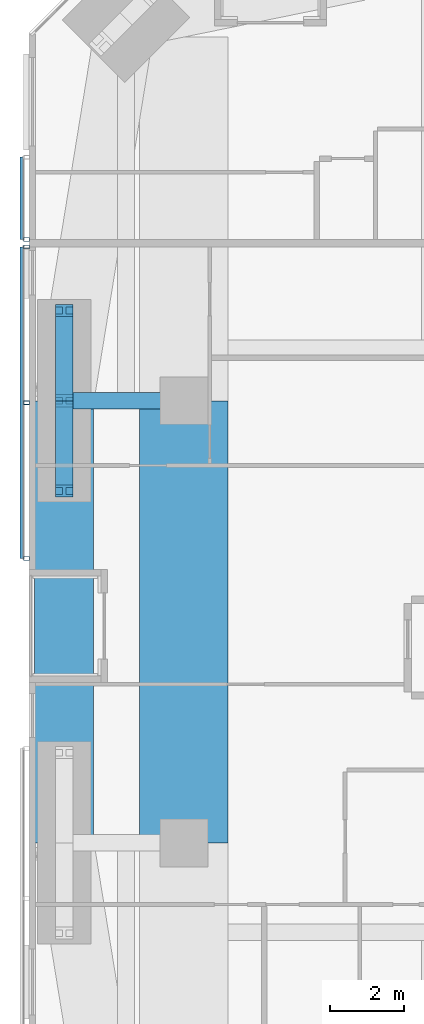
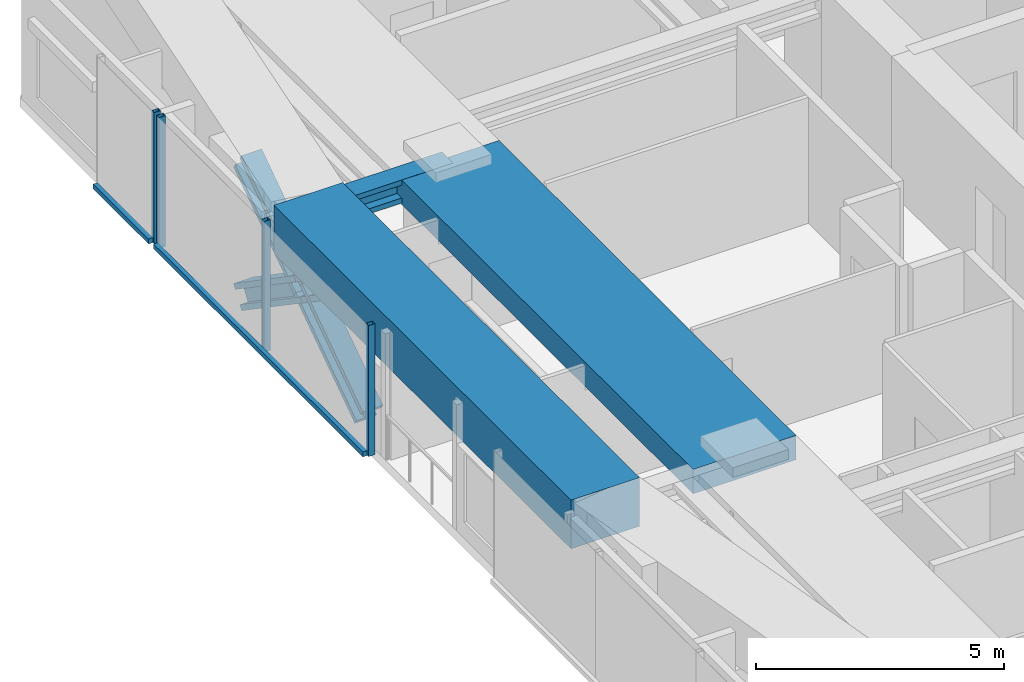
# One storey, part 6 of 23: 10 members, 3 beams, 2 elements without a shape of their own.
"""IFC4 building model written with IfcOpenShell, lengths in metres."""

from ifc_helpers import new_model, si_unit, direction, frame, origin, origin_2d, place, context, subcontext, project, spatial, rectangle, hollow_rectangle, i_section, extrude, material, material_profile, profile_set, type_object, element, aggregate, save


model = new_model("IFC4")

# Units and contexts
model_context = context("Model", 3, precision=1e-05, world=origin(), true_north=direction((0.0, 1.0)))
body_context = subcontext(model_context, "Body", "Model", "MODEL_VIEW")
ifc_project = project(units=[si_unit("LENGTHUNIT", "METRE"), si_unit("AREAUNIT", "SQUARE_METRE"), si_unit("VOLUMEUNIT", "CUBIC_METRE"), si_unit("PLANEANGLEUNIT", "RADIAN"), si_unit("MASSUNIT", "GRAM", prefix="KILO")], contexts=[model_context])

# Site, building, storey
site_placement = place(None, origin())
site = spatial("IfcSite", under=ifc_project, at=site_placement, CompositionType="ELEMENT")
building_placement = place(site_placement, origin())
building = spatial("IfcBuilding", under=site, at=building_placement, Name="Jalousie Tower", CompositionType="ELEMENT")
storey_placement = place(building_placement, frame((0.0, 0.0, 121.60009765625)))
storey = spatial("IfcBuildingStorey", under=building, at=storey_placement, Name="L33", CompositionType="ELEMENT", Elevation=121.60009765625)

# Beam
ifc_material_1 = material(Name="Steel ASTM A992 Grade 50", Category="steel")
ifc_material_profile_1 = material_profile(ifc_material_1, i_section(OverallWidth=0.45458984375, OverallDepth=0.569091796875, WebThickness=0.077880859375, FlangeThickness=0.124755859375, at=origin_2d()), Name="W14X730")
ifc_profile_set_1 = profile_set([ifc_material_profile_1], Name="Steel ASTM A992 Grade 50")
beam_type_1 = type_object("IfcBeamType", Name="LEAN COLLECTOR W14X730", PredefinedType="BEAM", material=ifc_profile_set_1)
beam_1_placement = place(storey_placement, frame((6.949951171875, 25.0, 2.825439453125), z_axis=(1.0, 0.0, 0.0), x_axis=(0.0, 1.0, 0.0)))
element("IfcBeam", 1, at=beam_1_placement, inside=storey, type_object=beam_type_1, Name="Lean collector under L34", PredefinedType="BEAM", context=body_context, shape_type="SweptSolid", body=[
    extrude(i_section(OverallWidth=0.45458984375, OverallDepth=0.569091796875, WebThickness=0.077880859375, FlangeThickness=0.124755859375, at=origin_2d()), origin(), (0.0, 0.0, 1.0), 3.25),
])

# Members
ifc_material_2 = material(Name="Steel ASTM A992 Grade 50", Category="steel")
ifc_material_profile_2 = material_profile(ifc_material_2, i_section(OverallWidth=0.472412109375, OverallDepth=0.5791015625, WebThickness=0.094970703125, FlangeThickness=0.1298828125, at=origin_2d()), Name="W14X808")
ifc_profile_set_2 = profile_set([ifc_material_profile_2], Name="Steel ASTM A992 Grade 50")
member_type_1 = type_object("IfcMemberType", Name="PERIMETER BRACE W14X808", PredefinedType="BRACE", material=ifc_profile_set_2)
for number, where, z_axis, x_axis, name in (
    (2, (6.949951171875, 22.550048828125, -0.60009765625), (0.0, 0.825500916831, 0.564400776321), (-1.0, 0.0, 0.0), "Perimeter brace 13 L33 part 1"),
    (3, (6.949951171875, 25.0, 1.074951171875), (0.0, 0.825500916831, 0.564400776321), (-1.0, 0.0, 0.0), "Perimeter brace 13 L33 part 2"),
    (4, (6.949951171875, 27.449951171875, -0.60009765625), (0.0, -0.825500916831, 0.564400776321), (1.0, 0.0, 0.0), "Perimeter brace 13 L33 part 3"),
    (5, (6.949951171875, 25.0, 1.074951171875), (0.0, -0.825500916831, 0.564400776321), (1.0, 0.0, 0.0), "Perimeter brace 13 L33 part 4"),
):
    element("IfcMember", number, at=place(storey_placement, frame(where, z_axis=z_axis, x_axis=x_axis)), inside=storey, type_object=member_type_1, Name=name, PredefinedType="BRACE", context=body_context, shape_type="SweptSolid", body=[
        extrude(i_section(OverallWidth=0.472412109375, OverallDepth=0.5791015625, WebThickness=0.094970703125, FlangeThickness=0.1298828125, at=origin_2d()), origin(), (0.0, 0.0, 1.0), 2.9677734375),
    ])

# Beams
ifc_material_3 = material(Name="Concrete f'c 40 MPa", Category="concrete")
ifc_material_profile_3 = material_profile(ifc_material_3, rectangle(XDim=1.60009765625, YDim=1.199951171875, at=origin_2d()), Name="RC 1600x1200")
ifc_profile_set_3 = profile_set([ifc_material_profile_3], Name="Concrete f'c 40 MPa")
beam_type_2 = type_object("IfcBeamType", Name="RC BEAM 1600x1200", PredefinedType="BEAM", material=ifc_profile_set_3)
beam_2_placement = place(storey_placement, frame((6.949951171875, 25.0, 2.75), z_axis=(0.0, -1.0, 0.0), x_axis=(1.0, 0.0, 0.0)))
element("IfcBeam", 6, at=beam_2_placement, inside=storey, type_object=beam_type_2, Name="Edge band beam 13-14 under L34", PredefinedType="BEAM", context=body_context, shape_type="SweptSolid", body=[
    extrude(rectangle(XDim=1.60009765625, YDim=1.199951171875, at=origin_2d()), origin(), (0.0, 0.0, 1.0), 12.0),
])
ifc_material_4 = material(Name="Concrete f'c 40 MPa", Category="concrete")
ifc_material_profile_4 = material_profile(ifc_material_4, rectangle(XDim=2.39990234375, YDim=0.60009765625, at=origin_2d()), Name="RC 2400x600")
ifc_profile_set_4 = profile_set([ifc_material_profile_4], Name="Concrete f'c 40 MPa")
beam_type_3 = type_object("IfcBeamType", Name="RC BEAM 2400x600", PredefinedType="BEAM", material=ifc_profile_set_4)
beam_3_placement = place(storey_placement, frame((10.199951171875, 13.0, 2.809814453125), z_axis=(0.0, 1.0, 0.0), x_axis=(-1.0, 0.0, 0.0)))
element("IfcBeam", 7, at=beam_3_placement, inside=storey, type_object=beam_type_3, Name="Floor band beam under L34", PredefinedType="BEAM", context=body_context, shape_type="SweptSolid", body=[
    extrude(rectangle(XDim=2.39990234375, YDim=0.60009765625, at=origin_2d()), origin(), (0.0, 0.0, 1.0), 12.0),
])

# Curtain wall, member
ifc_material_5 = material(Name="Perforated aluminium sheet", Category="aluminium")
curtain_wall_type = type_object("IfcCurtainWallType", Name="SOLAR SCREEN SS-1", PredefinedType="USERDEFINED", material=ifc_material_5)
curtain_wall_1_placement = place(storey_placement, origin())
curtain_wall_1 = element("IfcCurtainWall", 8, at=curtain_wall_1_placement, inside=storey, type_object=curtain_wall_type, Name="Solar screen L33", ObjectType="SOLAR SCREEN SS-1", PredefinedType="USERDEFINED")
ifc_material_6 = material(Name="Steel ASTM A500 Grade C", Category="steel")
ifc_material_profile_5 = material_profile(ifc_material_6, hollow_rectangle(XDim=0.1015625, YDim=0.15234375, WallThickness=0.00634765625, at=origin_2d()), Name="HSS6X4X1/4")
ifc_profile_set_5 = profile_set([ifc_material_profile_5], Name="Steel ASTM A500 Grade C")
member_type_2 = type_object("IfcMemberType", Name="SOLAR SCREEN SS-1 MULLION", PredefinedType="MULLION", material=ifc_profile_set_5)
member_1_placement = place(storey_placement, frame((5.9287109375, 29.375, -0.1201171875), z_axis=(0.0, 0.0, 1.0), x_axis=(0.0, -1.0, 0.0)))
member_1 = element("IfcMember", 9, at=member_1_placement, type_object=member_type_2, Name="SS1 post 2", PredefinedType="MULLION", context=body_context, shape_type="SweptSolid", body=[
    extrude(hollow_rectangle(XDim=0.1015625, YDim=0.15234375, WallThickness=0.00634765625, at=origin_2d()), origin(), (0.0, 0.0, 1.0), 3.22998046875),
])

# Curtain wall, members
curtain_wall_2_placement = place(storey_placement, origin())
curtain_wall_2 = element("IfcCurtainWall", 10, at=curtain_wall_2_placement, inside=storey, type_object=curtain_wall_type, Name="Solar screen L33", ObjectType="SOLAR SCREEN SS-1", PredefinedType="USERDEFINED")
member_2_placement = place(storey_placement, frame((5.9287109375, 29.175048828125, -0.1201171875), z_axis=(0.0, 0.0, 1.0), x_axis=(0.0, -1.0, 0.0)))
member_2 = element("IfcMember", 11, at=member_2_placement, type_object=member_type_2, Name="SS1 post 1", PredefinedType="MULLION", context=body_context, shape_type="SweptSolid", body=[
    extrude(hollow_rectangle(XDim=0.1015625, YDim=0.15234375, WallThickness=0.00634765625, at=origin_2d()), origin(), (0.0, 0.0, 1.0), 3.22998046875),
])
member_3_placement = place(storey_placement, frame((5.9287109375, 24.94580078125, -0.1201171875), z_axis=(0.0, 0.0, 1.0), x_axis=(0.0, -1.0, 0.0)))
member_3 = element("IfcMember", 12, at=member_3_placement, type_object=member_type_2, Name="SS1 post 2", PredefinedType="MULLION", context=body_context, shape_type="SweptSolid", body=[
    extrude(hollow_rectangle(XDim=0.1015625, YDim=0.15234375, WallThickness=0.00634765625, at=origin_2d()), origin(), (0.0, 0.0, 1.0), 3.22998046875),
])
member_4_placement = place(storey_placement, frame((5.9287109375, 20.716796875, -0.1201171875), z_axis=(0.0, 0.0, 1.0), x_axis=(0.0, -1.0, 0.0)))
member_4 = element("IfcMember", 13, at=member_4_placement, type_object=member_type_2, Name="SS1 post 3", PredefinedType="MULLION", context=body_context, shape_type="SweptSolid", body=[
    extrude(hollow_rectangle(XDim=0.1015625, YDim=0.15234375, WallThickness=0.00634765625, at=origin_2d()), origin(), (0.0, 0.0, 1.0), 3.22998046875),
])

# Member
ifc_material_7 = material(Name="Extruded aluminium screen rail", Category="aluminium")
ifc_material_profile_6 = material_profile(ifc_material_7, rectangle(XDim=0.1015625, YDim=0.1201171875, at=origin_2d()), Name="RAIL 102x120")
ifc_profile_set_6 = profile_set([ifc_material_profile_6], Name="Extruded aluminium screen rail")
member_type_3 = type_object("IfcMemberType", Name="SOLAR SCREEN SS-1 TRANSOM", PredefinedType="USERDEFINED", material=ifc_profile_set_6)
member_5_placement = place(storey_placement, frame((5.8017578125, 31.6123046875, -0.06005859375), z_axis=(0.0, -1.0, 0.0), x_axis=(1.0, 0.0, 0.0)))
member_5 = element("IfcMember", 14, at=member_5_placement, type_object=member_type_3, Name="SS1 rail", ObjectType="TRANSOM", PredefinedType="USERDEFINED", context=body_context, shape_type="SweptSolid", body=[
    extrude(rectangle(XDim=0.1015625, YDim=0.1201171875, at=origin_2d()), origin(), (0.0, 0.0, 1.0), 2.2373046875),
])

aggregate(curtain_wall_1, [member_1, member_5])

member_6_placement = place(storey_placement, frame((5.8017578125, 29.175048828125, -0.06005859375), z_axis=(0.0, -1.0, 0.0), x_axis=(1.0, 0.0, 0.0)))
member_6 = element("IfcMember", 15, at=member_6_placement, type_object=member_type_3, Name="SS1 rail", ObjectType="TRANSOM", PredefinedType="USERDEFINED", context=body_context, shape_type="SweptSolid", body=[
    extrude(rectangle(XDim=0.1015625, YDim=0.1201171875, at=origin_2d()), origin(), (0.0, 0.0, 1.0), 8.458251953125),
])

aggregate(curtain_wall_2, [member_2, member_3, member_4, member_6])

save(model, "model.ifc")
